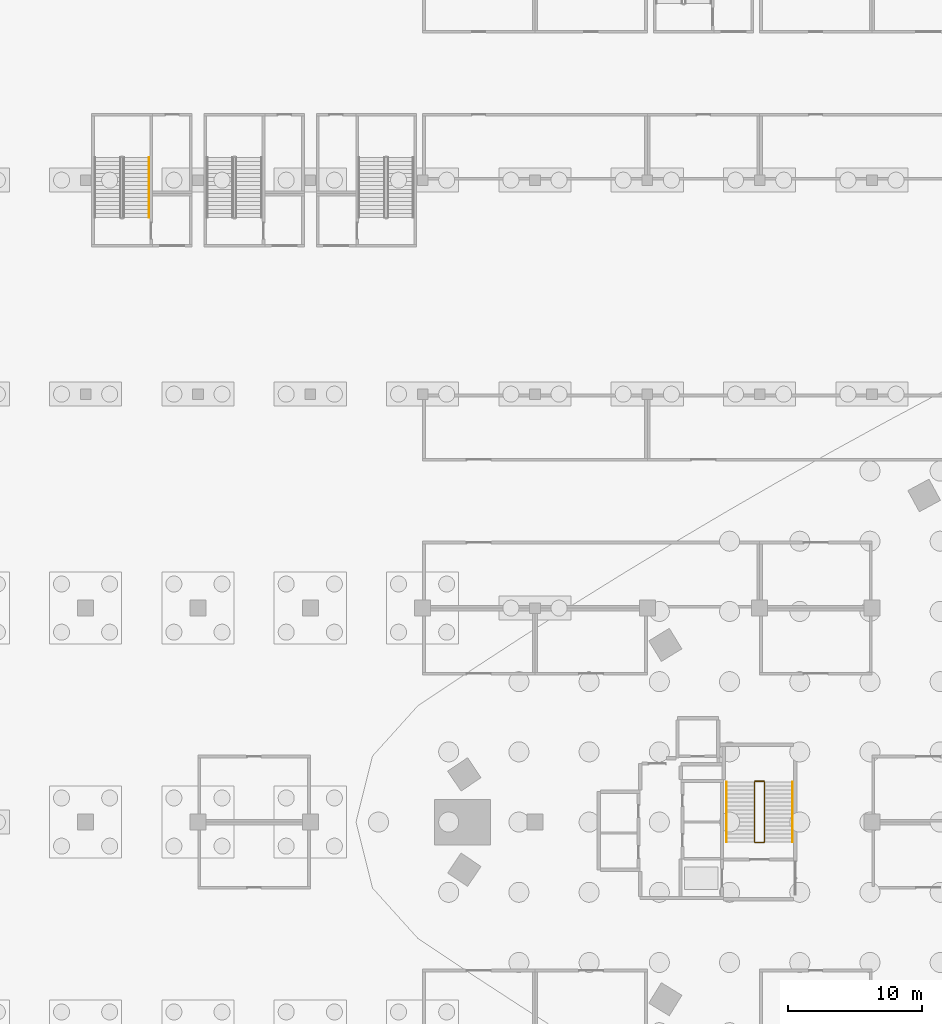
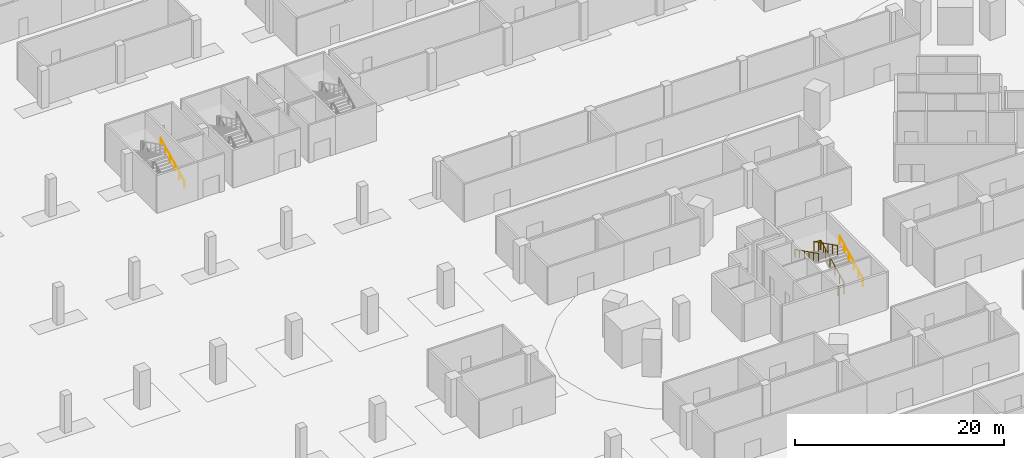
# One storey, part 36 of 46: 4 railings.
"""IFC4 building model written with IfcOpenShell, lengths in metres."""

from ifc_helpers import new_model, si_unit, direction, frame, origin, origin_2d, place, context, subcontext, project, spatial, circle, extrude, material, type_object, element, save


model = new_model("IFC4")

# Units and contexts
model_context = context("Model", 3, precision=1e-05, world=origin(), true_north=direction((0.0, 1.0)))
body_context = subcontext(model_context, "Body", "Model", "MODEL_VIEW")
ifc_project = project(units=[si_unit("LENGTHUNIT", "METRE"), si_unit("AREAUNIT", "SQUARE_METRE"), si_unit("VOLUMEUNIT", "CUBIC_METRE"), si_unit("PLANEANGLEUNIT", "RADIAN"), si_unit("MASSUNIT", "GRAM", prefix="KILO")], contexts=[model_context])

# Site, building, storey
site_placement = place(None, origin())
site = spatial("IfcSite", under=ifc_project, at=site_placement, CompositionType="ELEMENT")
building_placement = place(site_placement, origin())
building = spatial("IfcBuilding", under=site, at=building_placement, Name="Tamra Quay Hotel Tower", CompositionType="ELEMENT")
storey_placement = place(building_placement, frame((0.0, 0.0, -12.0)))
storey = spatial("IfcBuildingStorey", under=building, at=storey_placement, Name="B3", CompositionType="ELEMENT", Elevation=-12.0)

# Railings
ifc_material_1 = material(Name="Basement stair handrail 900")
railing_type_1 = type_object("IfcRailingType", Name="Basement stair handrail 900", PredefinedType="HANDRAIL", material=ifc_material_1)
railing_1_placement = place(storey_placement, frame((-59.14990234375, 45.199951171875, 0.14990234375)))
element("IfcRailing", 1, at=railing_1_placement, inside=storey, type_object=railing_type_1, Name="BSH", PredefinedType="HANDRAIL", context=body_context, shape_type="SweptSolid", body=[
    extrude(circle(Radius=0.02392578125, at=origin_2d()), frame((0.0, 0.0, 0.8759765625), z_axis=(0.0, 0.894427191, 0.4472135955), x_axis=(-1.0, 0.0, 0.0)), (0.0, 0.0, 1.0), 5.03125),
    extrude(circle(Radius=0.02099609375, at=origin_2d()), origin(), (0.0, 0.0, 1.0), 0.851806640625),
    extrude(circle(Radius=0.02099609375, at=origin_2d()), frame((0.0, 0.89990234375, 0.449951171875)), (0.0, 0.0, 1.0), 0.851806640625),
    extrude(circle(Radius=0.02099609375, at=origin_2d()), frame((0.0, 1.800048828125, 0.89990234375)), (0.0, 0.0, 1.0), 0.851806640625),
    extrude(circle(Radius=0.02099609375, at=origin_2d()), frame((0.0, 2.699951171875, 1.35009765625)), (0.0, 0.0, 1.0), 0.851806640625),
    extrude(circle(Radius=0.02099609375, at=origin_2d()), frame((0.0, 3.60009765625, 1.800048828125)), (0.0, 0.0, 1.0), 0.851806640625),
    extrude(circle(Radius=0.02099609375, at=origin_2d()), frame((0.0, 4.5, 2.25)), (0.0, 0.0, 1.0), 0.851806640625),
])
ifc_material_2 = material(Name="Stair guard 1100")
railing_type_2 = type_object("IfcRailingType", Name="Stair guard 1100", PredefinedType="GUARDRAIL", material=ifc_material_2)
railing_2_placement = place(storey_placement, frame((-13.84130859375, -1.530029296875, 0.0)))
element("IfcRailing", 2, at=railing_2_placement, inside=storey, type_object=railing_type_2, Name="GR", PredefinedType="GUARDRAIL", context=body_context, shape_type="SweptSolid", body=[
    extrude(circle(Radius=0.02392578125, at=origin_2d()), frame((0.0, 0.0, 1.076171875), z_axis=(1.0, 0.0, 0.0), x_axis=(0.0, 1.0, 0.0)), (0.0, 0.0, 1.0), 0.658935546875),
    extrude(circle(Radius=0.02392578125, at=origin_2d()), frame((0.658935546875, 0.0, 1.076171875), z_axis=(0.301912943143, 0.301912943143, 0.904266083366), x_axis=(-0.707106781187, 0.707106781187, 0.0)), (0.0, 0.0, 1.0), 0.165771484375),
    extrude(circle(Radius=0.02392578125, at=origin_2d()), frame((0.708984375, 0.050048828125, 1.22607421875), z_axis=(0.0, 0.893823034308, 0.448419873935), x_axis=(-1.0, 0.0, 0.0)), (0.0, 0.0, 1.0), 5.017578125),
    extrude(circle(Radius=0.02392578125, at=origin_2d()), frame((0.708984375, 4.534912109375, 3.47607421875), z_axis=(-0.707106781187, 0.707106781187, 0.0), x_axis=(-0.707106781187, -0.707106781187, 0.0)), (0.0, 0.0, 1.0), 0.07080078125),
    extrude(circle(Radius=0.02392578125, at=origin_2d()), frame((0.658935546875, 4.5849609375, 3.47607421875), z_axis=(-1.0, 0.0, 0.0), x_axis=(0.0, -1.0, 0.0)), (0.0, 0.0, 1.0), 0.658935546875),
    extrude(circle(Radius=0.02392578125, at=origin_2d()), frame((0.0, 4.5849609375, 3.47607421875), z_axis=(-0.301511344578, -0.301511344578, 0.904534033733), x_axis=(0.707106781187, -0.707106781187, 0.0)), (0.0, 0.0, 1.0), 0.166015625),
    extrude(circle(Radius=0.02392578125, at=origin_2d()), frame((-0.050048828125, 4.534912109375, 3.6259765625), z_axis=(0.0, -0.893823034308, 0.448419873935), x_axis=(1.0, 0.0, 0.0)), (0.0, 0.0, 1.0), 5.017578125),
    extrude(circle(Radius=0.02099609375, at=origin_2d()), origin(), (0.0, 0.0, 1.0), 1.052001953125),
    extrude(circle(Radius=0.02099609375, at=origin_2d()), frame((0.658935546875, 0.0, 0.0)), (0.0, 0.0, 1.0), 1.052001953125),
    extrude(circle(Radius=0.02099609375, at=origin_2d()), frame((0.708984375, 0.050048828125, 0.14990234375)), (0.0, 0.0, 1.0), 1.052001953125),
    extrude(circle(Radius=0.02099609375, at=origin_2d()), frame((0.708984375, 0.947021484375, 0.599853515625)), (0.0, 0.0, 1.0), 1.052001953125),
    extrude(circle(Radius=0.02099609375, at=origin_2d()), frame((0.708984375, 1.843994140625, 1.0498046875)), (0.0, 0.0, 1.0), 1.052001953125),
    extrude(circle(Radius=0.02099609375, at=origin_2d()), frame((0.708984375, 2.740966796875, 1.5)), (0.0, 0.0, 1.0), 1.052001953125),
    extrude(circle(Radius=0.02099609375, at=origin_2d()), frame((0.708984375, 3.637939453125, 1.949951171875)), (0.0, 0.0, 1.0), 1.052001953125),
    extrude(circle(Radius=0.02099609375, at=origin_2d()), frame((0.708984375, 4.534912109375, 2.39990234375)), (0.0, 0.0, 1.0), 1.052001953125),
    extrude(circle(Radius=0.02099609375, at=origin_2d()), frame((0.658935546875, 4.5849609375, 2.39990234375)), (0.0, 0.0, 1.0), 1.052001953125),
    extrude(circle(Radius=0.02099609375, at=origin_2d()), frame((0.0, 4.5849609375, 2.39990234375)), (0.0, 0.0, 1.0), 1.052001953125),
    extrude(circle(Radius=0.02099609375, at=origin_2d()), frame((-0.050048828125, 4.534912109375, 2.550048828125)), (0.0, 0.0, 1.0), 1.052001953125),
    extrude(circle(Radius=0.02099609375, at=origin_2d()), frame((-0.050048828125, 3.637939453125, 3.0)), (0.0, 0.0, 1.0), 1.052001953125),
    extrude(circle(Radius=0.02099609375, at=origin_2d()), frame((-0.050048828125, 2.740966796875, 3.449951171875)), (0.0, 0.0, 1.0), 1.052001953125),
    extrude(circle(Radius=0.02099609375, at=origin_2d()), frame((-0.050048828125, 1.843994140625, 3.900146484375)), (0.0, 0.0, 1.0), 1.052001953125),
    extrude(circle(Radius=0.02099609375, at=origin_2d()), frame((-0.050048828125, 0.947021484375, 4.35009765625)), (0.0, 0.0, 1.0), 1.052001953125),
    extrude(circle(Radius=0.02099609375, at=origin_2d()), frame((-0.050048828125, 0.050048828125, 4.800048828125)), (0.0, 0.0, 1.0), 1.052001953125),
])
ifc_material_3 = material(Name="Stair handrail 900")
railing_type_3 = type_object("IfcRailingType", Name="Stair handrail 900", PredefinedType="HANDRAIL", material=ifc_material_3)
railing_3_placement = place(storey_placement, frame((-11.0322265625, -1.47998046875, 0.14990234375)))
element("IfcRailing", 3, at=railing_3_placement, inside=storey, type_object=railing_type_3, Name="HR", PredefinedType="HANDRAIL", context=body_context, shape_type="SweptSolid", body=[
    extrude(circle(Radius=0.02392578125, at=origin_2d()), frame((0.0, 0.0, 0.8759765625), z_axis=(0.0, 0.893823034308, 0.448419873935), x_axis=(-1.0, 0.0, 0.0)), (0.0, 0.0, 1.0), 5.017578125),
    extrude(circle(Radius=0.02099609375, at=origin_2d()), origin(), (0.0, 0.0, 1.0), 0.851806640625),
    extrude(circle(Radius=0.02099609375, at=origin_2d()), frame((0.0, 0.89697265625, 0.449951171875)), (0.0, 0.0, 1.0), 0.851806640625),
    extrude(circle(Radius=0.02099609375, at=origin_2d()), frame((0.0, 1.7939453125, 0.89990234375)), (0.0, 0.0, 1.0), 0.851806640625),
    extrude(circle(Radius=0.02099609375, at=origin_2d()), frame((0.0, 2.69091796875, 1.35009765625)), (0.0, 0.0, 1.0), 0.851806640625),
    extrude(circle(Radius=0.02099609375, at=origin_2d()), frame((0.0, 3.587890625, 1.800048828125)), (0.0, 0.0, 1.0), 0.851806640625),
    extrude(circle(Radius=0.02099609375, at=origin_2d()), frame((0.0, 4.48486328125, 2.25)), (0.0, 0.0, 1.0), 0.851806640625),
])
railing_4_placement = place(storey_placement, frame((-15.9912109375, 3.0048828125, 2.550048828125)))
element("IfcRailing", 4, at=railing_4_placement, inside=storey, type_object=railing_type_3, Name="HR", PredefinedType="HANDRAIL", context=body_context, shape_type="SweptSolid", body=[
    extrude(circle(Radius=0.02392578125, at=origin_2d()), frame((0.0, 0.0, 0.8759765625), z_axis=(0.0, -0.893823034308, 0.448419873935), x_axis=(1.0, 0.0, 0.0)), (0.0, 0.0, 1.0), 5.017578125),
    extrude(circle(Radius=0.02099609375, at=origin_2d()), origin(), (0.0, 0.0, 1.0), 0.851806640625),
    extrude(circle(Radius=0.02099609375, at=origin_2d()), frame((0.0, -0.89697265625, 0.449951171875)), (0.0, 0.0, 1.0), 0.851806640625),
    extrude(circle(Radius=0.02099609375, at=origin_2d()), frame((0.0, -1.7939453125, 0.89990234375)), (0.0, 0.0, 1.0), 0.851806640625),
    extrude(circle(Radius=0.02099609375, at=origin_2d()), frame((0.0, -2.69091796875, 1.35009765625)), (0.0, 0.0, 1.0), 0.851806640625),
    extrude(circle(Radius=0.02099609375, at=origin_2d()), frame((0.0, -3.587890625, 1.800048828125)), (0.0, 0.0, 1.0), 0.851806640625),
    extrude(circle(Radius=0.02099609375, at=origin_2d()), frame((0.0, -4.48486328125, 2.25)), (0.0, 0.0, 1.0), 0.851806640625),
])

save(model, "model.ifc")
